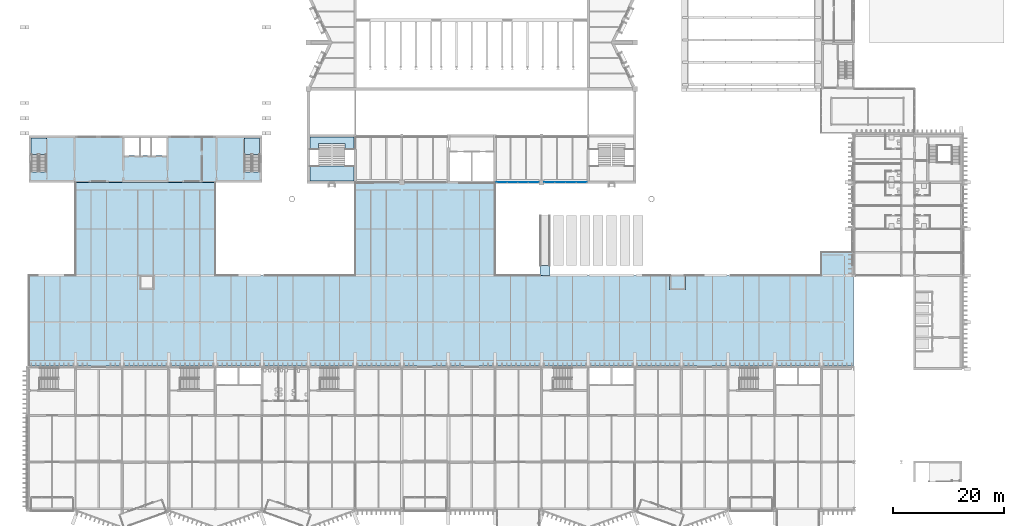
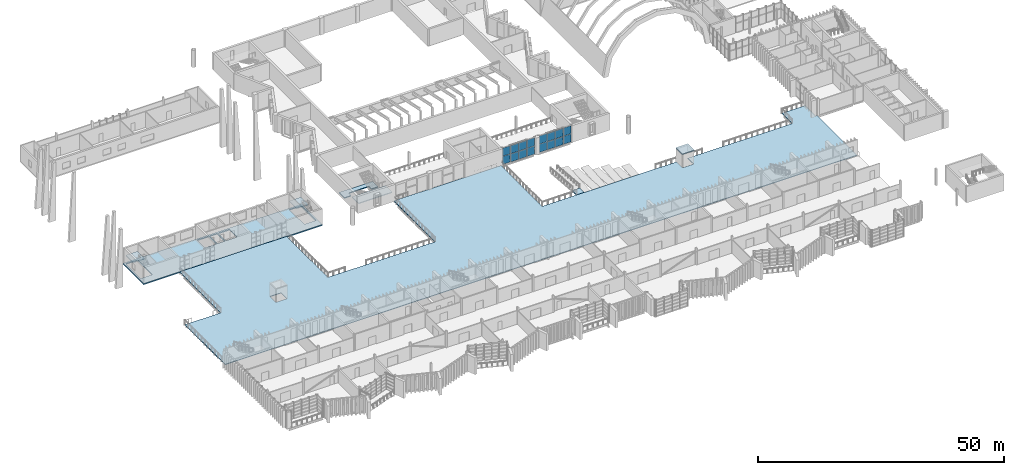
# One storey, part 51 of 96: 16 plates, 8 slabs, 6 elements without a shape of their own.
"""IFC4 building model written with IfcOpenShell, lengths in metres."""

from ifc_helpers import new_model, si_unit, direction, frame, origin, origin_2d, place, context, subcontext, project, spatial, polyline, rectangle, outline, extrude, material, layer, layer_set, type_object, element, aggregate, save


model = new_model("IFC4")

# Units and contexts
model_context = context("Model", 3, precision=1e-05, world=origin(), true_north=direction((0.0, 1.0)))
body_context = subcontext(model_context, "Body", "Model", "MODEL_VIEW")
ifc_project = project(units=[si_unit("LENGTHUNIT", "METRE"), si_unit("AREAUNIT", "SQUARE_METRE"), si_unit("VOLUMEUNIT", "CUBIC_METRE"), si_unit("PLANEANGLEUNIT", "RADIAN"), si_unit("MASSUNIT", "GRAM", prefix="KILO")], contexts=[model_context])

# Site, building, storey
site_placement = place(None, origin())
site = spatial("IfcSite", under=ifc_project, at=site_placement, CompositionType="ELEMENT")
building_placement = place(site_placement, origin())
building = spatial("IfcBuilding", under=site, at=building_placement, Name="Cresset Court Congress Hotel", CompositionType="ELEMENT")
storey_placement = place(building_placement, frame((0.0, 0.0, 6.0)))
storey = spatial("IfcBuildingStorey", under=building, at=storey_placement, Name="L01", CompositionType="ELEMENT", Elevation=6.0)

# Slab
ifc_material_1 = material(Name="Concrete C35", Category="concrete")
ifc_layer_1 = layer(ifc_material_1, 0.199951171875)
ifc_layer_set_1 = layer_set([ifc_layer_1], Name="Core stair floor slab 200")
slab_type_1 = type_object("IfcSlabType", Name="Core stair floor slab 200", PredefinedType="FLOOR", material=ifc_layer_set_1)
slab_1_placement = place(storey_placement, frame((0.0, 0.0, -0.199951171875)))
element("IfcSlab", 1, at=slab_1_placement, inside=storey, type_object=slab_type_1, Name="Stair landing slab CC-C1L01", PredefinedType="FLOOR", context=body_context, shape_type="SweptSolid", body=[
    extrude(outline(polyline([(60.60009765625, 64.75), (59.050048828125, 64.75), (59.050048828125, 65.79931640625), (59.050048828125, 66.949951171875), (60.60009765625, 66.949951171875), (65.39990234375, 66.949951171875), (66.949951171875, 66.949951171875), (66.949951171875, 65.79931640625), (66.949951171875, 64.75), (65.39990234375, 64.75), (65.39990234375, 65.79931640625), (60.60009765625, 65.79931640625), (60.60009765625, 64.75)])), origin(), (0.0, 0.0, 1.0), 0.199951171875),
])

# Stair, slab
ifc_material_2 = material(Name="Concrete C40", Category="concrete")
stair_type_1 = type_object("IfcStairType", Name="Core stair", PredefinedType="STRAIGHT_RUN_STAIR", material=ifc_material_2)
stair_1_placement = place(storey_placement, origin())
stair_1 = element("IfcStair", 2, at=stair_1_placement, inside=storey, type_object=stair_type_1, Name="Stair ST-C1 L01", PredefinedType="STRAIGHT_RUN_STAIR")
ifc_material_3 = material(Name="Concrete C40", Category="concrete")
ifc_layer_2 = layer(ifc_material_3, 0.199951171875)
ifc_layer_set_2 = layer_set([ifc_layer_2], Name="Core stair landing")
slab_type_2 = type_object("IfcSlabType", Name="Core stair landing", PredefinedType="LANDING", material=ifc_layer_set_2)
slab_2_placement = place(storey_placement, frame((0.0, 0.0, 1.89990234375)))
slab_2 = element("IfcSlab", 3, at=slab_2_placement, type_object=slab_type_2, Name="C-ST landing 1", PredefinedType="LANDING", context=body_context, shape_type="SweptSolid", body=[
    extrude(outline(polyline([(66.949951171875, 59.050048828125), (66.949951171875, 61.719970703125), (59.050048828125, 61.719970703125), (59.050048828125, 59.050048828125), (66.949951171875, 59.050048828125)])), origin(), (0.0, 0.0, 1.0), 0.2001953125),
])
aggregate(stair_1, [slab_2])

# Curtain wall, plates
ifc_material_4 = material(Name="Aluminium and glass", Category="aluminium")
ifc_layer_3 = layer(ifc_material_4, 0.199951171875)
ifc_layer_set_3 = layer_set([ifc_layer_3], Name="Foyer curtain wall 1925 module")
curtain_wall_type = type_object("IfcCurtainWallType", Name="Foyer curtain wall 1925 module", PredefinedType="NOTDEFINED", material=ifc_layer_set_3)
curtain_wall_1_placement = place(storey_placement, origin())
curtain_wall_1 = element("IfcCurtainWall", 4, at=curtain_wall_1_placement, inside=storey, type_object=curtain_wall_type, Name="Curtain wall CX-013", PredefinedType="NOTDEFINED")
ifc_material_5 = material(Name="Laminated glass", Category="glass")
ifc_layer_4 = layer(ifc_material_5, 0.028076171875)
ifc_layer_set_4 = layer_set([ifc_layer_4], Name="Curtain wall glass panel 28")
plate_type = type_object("IfcPlateType", Name="Curtain wall glass panel 28", PredefinedType="CURTAIN_PANEL", material=ifc_layer_set_4)
plate_1_placement = place(storey_placement, frame((93.62744140625, 58.800048828125, 0.06005859375), z_axis=(0.0, 0.0, 1.0), x_axis=(1.0, 0.0, 0.0)))
plate_1 = element("IfcPlate", 5, at=plate_1_placement, type_object=plate_type, Name="C-X1 panel 1.1", PredefinedType="CURTAIN_PANEL", context=body_context, shape_type="SweptSolid", body=[
    extrude(rectangle(XDim=1.8349609375, YDim=0.028076171875, at=origin_2d()), origin(), (0.0, 0.0, 1.0), 2.010009765625),
])
plate_2_placement = place(storey_placement, frame((93.62744140625, 58.800048828125, 2.1298828125), z_axis=(0.0, 0.0, 1.0), x_axis=(1.0, 0.0, 0.0)))
plate_2 = element("IfcPlate", 6, at=plate_2_placement, type_object=plate_type, Name="C-X1 panel 1.2", PredefinedType="CURTAIN_PANEL", context=body_context, shape_type="SweptSolid", body=[
    extrude(rectangle(XDim=1.8349609375, YDim=0.028076171875, at=origin_2d()), origin(), (0.0, 0.0, 1.0), 2.010009765625),
])
plate_3_placement = place(storey_placement, frame((95.53759765625, 58.800048828125, 0.06005859375), z_axis=(0.0, 0.0, 1.0), x_axis=(1.0, 0.0, 0.0)))
plate_3 = element("IfcPlate", 7, at=plate_3_placement, type_object=plate_type, Name="C-X1 panel 2.1", PredefinedType="CURTAIN_PANEL", context=body_context, shape_type="SweptSolid", body=[
    extrude(rectangle(XDim=1.864990234375, YDim=0.028076171875, at=origin_2d()), origin(), (0.0, 0.0, 1.0), 2.010009765625),
])
plate_4_placement = place(storey_placement, frame((95.53759765625, 58.800048828125, 2.1298828125), z_axis=(0.0, 0.0, 1.0), x_axis=(1.0, 0.0, 0.0)))
plate_4 = element("IfcPlate", 8, at=plate_4_placement, type_object=plate_type, Name="C-X1 panel 2.2", PredefinedType="CURTAIN_PANEL", context=body_context, shape_type="SweptSolid", body=[
    extrude(rectangle(XDim=1.864990234375, YDim=0.028076171875, at=origin_2d()), origin(), (0.0, 0.0, 1.0), 2.010009765625),
])
plate_5_placement = place(storey_placement, frame((97.46240234375, 58.800048828125, 0.06005859375), z_axis=(0.0, 0.0, 1.0), x_axis=(1.0, 0.0, 0.0)))
plate_5 = element("IfcPlate", 9, at=plate_5_placement, type_object=plate_type, Name="C-X1 panel 3.1", PredefinedType="CURTAIN_PANEL", context=body_context, shape_type="SweptSolid", body=[
    extrude(rectangle(XDim=1.864990234375, YDim=0.028076171875, at=origin_2d()), origin(), (0.0, 0.0, 1.0), 2.010009765625),
])
plate_6_placement = place(storey_placement, frame((97.46240234375, 58.800048828125, 2.1298828125), z_axis=(0.0, 0.0, 1.0), x_axis=(1.0, 0.0, 0.0)))
plate_6 = element("IfcPlate", 10, at=plate_6_placement, type_object=plate_type, Name="C-X1 panel 3.2", PredefinedType="CURTAIN_PANEL", context=body_context, shape_type="SweptSolid", body=[
    extrude(rectangle(XDim=1.864990234375, YDim=0.028076171875, at=origin_2d()), origin(), (0.0, 0.0, 1.0), 2.010009765625),
])
plate_7_placement = place(storey_placement, frame((99.37255859375, 58.800048828125, 0.06005859375), z_axis=(0.0, 0.0, 1.0), x_axis=(1.0, 0.0, 0.0)))
plate_7 = element("IfcPlate", 11, at=plate_7_placement, type_object=plate_type, Name="C-X1 panel 4.1", PredefinedType="CURTAIN_PANEL", context=body_context, shape_type="SweptSolid", body=[
    extrude(rectangle(XDim=1.8349609375, YDim=0.028076171875, at=origin_2d()), origin(), (0.0, 0.0, 1.0), 2.010009765625),
])
plate_8_placement = place(storey_placement, frame((99.37255859375, 58.800048828125, 2.1298828125), z_axis=(0.0, 0.0, 1.0), x_axis=(1.0, 0.0, 0.0)))
plate_8 = element("IfcPlate", 12, at=plate_8_placement, type_object=plate_type, Name="C-X1 panel 4.2", PredefinedType="CURTAIN_PANEL", context=body_context, shape_type="SweptSolid", body=[
    extrude(rectangle(XDim=1.8349609375, YDim=0.028076171875, at=origin_2d()), origin(), (0.0, 0.0, 1.0), 2.010009765625),
])
aggregate(curtain_wall_1, [plate_1, plate_2, plate_3, plate_4, plate_5, plate_6, plate_7, plate_8])

curtain_wall_2_placement = place(storey_placement, origin())
curtain_wall_2 = element("IfcCurtainWall", 13, at=curtain_wall_2_placement, inside=storey, type_object=curtain_wall_type, Name="Curtain wall CX-014", PredefinedType="NOTDEFINED")
plate_9_placement = place(storey_placement, frame((102.2275390625, 58.800048828125, 0.06005859375), z_axis=(0.0, 0.0, 1.0), x_axis=(1.0, 0.0, 0.0)))
plate_9 = element("IfcPlate", 14, at=plate_9_placement, type_object=plate_type, Name="C-X1 panel 1.1", PredefinedType="CURTAIN_PANEL", context=body_context, shape_type="SweptSolid", body=[
    extrude(rectangle(XDim=1.8349609375, YDim=0.028076171875, at=origin_2d()), origin(), (0.0, 0.0, 1.0), 2.010009765625),
])
plate_10_placement = place(storey_placement, frame((102.2275390625, 58.800048828125, 2.1298828125), z_axis=(0.0, 0.0, 1.0), x_axis=(1.0, 0.0, 0.0)))
plate_10 = element("IfcPlate", 15, at=plate_10_placement, type_object=plate_type, Name="C-X1 panel 1.2", PredefinedType="CURTAIN_PANEL", context=body_context, shape_type="SweptSolid", body=[
    extrude(rectangle(XDim=1.8349609375, YDim=0.028076171875, at=origin_2d()), origin(), (0.0, 0.0, 1.0), 2.010009765625),
])
plate_11_placement = place(storey_placement, frame((104.137451171875, 58.800048828125, 0.06005859375), z_axis=(0.0, 0.0, 1.0), x_axis=(1.0, 0.0, 0.0)))
plate_11 = element("IfcPlate", 16, at=plate_11_placement, type_object=plate_type, Name="C-X1 panel 2.1", PredefinedType="CURTAIN_PANEL", context=body_context, shape_type="SweptSolid", body=[
    extrude(rectangle(XDim=1.864990234375, YDim=0.028076171875, at=origin_2d()), origin(), (0.0, 0.0, 1.0), 2.010009765625),
])
plate_12_placement = place(storey_placement, frame((104.137451171875, 58.800048828125, 2.1298828125), z_axis=(0.0, 0.0, 1.0), x_axis=(1.0, 0.0, 0.0)))
plate_12 = element("IfcPlate", 17, at=plate_12_placement, type_object=plate_type, Name="C-X1 panel 2.2", PredefinedType="CURTAIN_PANEL", context=body_context, shape_type="SweptSolid", body=[
    extrude(rectangle(XDim=1.864990234375, YDim=0.028076171875, at=origin_2d()), origin(), (0.0, 0.0, 1.0), 2.010009765625),
])
plate_13_placement = place(storey_placement, frame((106.0625, 58.800048828125, 0.06005859375), z_axis=(0.0, 0.0, 1.0), x_axis=(1.0, 0.0, 0.0)))
plate_13 = element("IfcPlate", 18, at=plate_13_placement, type_object=plate_type, Name="C-X1 panel 3.1", PredefinedType="CURTAIN_PANEL", context=body_context, shape_type="SweptSolid", body=[
    extrude(rectangle(XDim=1.864990234375, YDim=0.028076171875, at=origin_2d()), origin(), (0.0, 0.0, 1.0), 2.010009765625),
])
plate_14_placement = place(storey_placement, frame((106.0625, 58.800048828125, 2.1298828125), z_axis=(0.0, 0.0, 1.0), x_axis=(1.0, 0.0, 0.0)))
plate_14 = element("IfcPlate", 19, at=plate_14_placement, type_object=plate_type, Name="C-X1 panel 3.2", PredefinedType="CURTAIN_PANEL", context=body_context, shape_type="SweptSolid", body=[
    extrude(rectangle(XDim=1.864990234375, YDim=0.028076171875, at=origin_2d()), origin(), (0.0, 0.0, 1.0), 2.010009765625),
])
plate_15_placement = place(storey_placement, frame((107.972412109375, 58.800048828125, 0.06005859375), z_axis=(0.0, 0.0, 1.0), x_axis=(1.0, 0.0, 0.0)))
plate_15 = element("IfcPlate", 20, at=plate_15_placement, type_object=plate_type, Name="C-X1 panel 4.1", PredefinedType="CURTAIN_PANEL", context=body_context, shape_type="SweptSolid", body=[
    extrude(rectangle(XDim=1.8349609375, YDim=0.028076171875, at=origin_2d()), origin(), (0.0, 0.0, 1.0), 2.010009765625),
])
plate_16_placement = place(storey_placement, frame((107.972412109375, 58.800048828125, 2.1298828125), z_axis=(0.0, 0.0, 1.0), x_axis=(1.0, 0.0, 0.0)))
plate_16 = element("IfcPlate", 21, at=plate_16_placement, type_object=plate_type, Name="C-X1 panel 4.2", PredefinedType="CURTAIN_PANEL", context=body_context, shape_type="SweptSolid", body=[
    extrude(rectangle(XDim=1.8349609375, YDim=0.028076171875, at=origin_2d()), origin(), (0.0, 0.0, 1.0), 2.010009765625),
])
aggregate(curtain_wall_2, [plate_9, plate_10, plate_11, plate_12, plate_13, plate_14, plate_15, plate_16])

# Slabs
ifc_material_6 = material(Name="Concrete C35", Category="concrete")
ifc_layer_5 = layer(ifc_material_6, 0.14990234375)
ifc_layer_set_5 = layer_set([ifc_layer_5], Name="Deck slab 150")
slab_type_3 = type_object("IfcSlabType", Name="Deck slab 150", PredefinedType="FLOOR", material=ifc_layer_set_5)
slab_3_placement = place(storey_placement, frame((0.0, 0.0, -0.14990234375)))
element("IfcSlab", 22, at=slab_3_placement, inside=storey, type_object=slab_type_3, Name="S.slab.L01.deck", PredefinedType="FLOOR", context=body_context, shape_type="SweptSolid", body=[
    extrude(outline(polyline([(151.199951171875, 42.0), (151.199951171875, 46.199951171875), (156.699951171875, 46.199951171875), (156.699951171875, 42.0), (157.0, 42.0), (157.0, 25.699951171875), (8.39990234375, 25.699951171875), (8.39990234375, 42.0), (16.800048828125, 42.0), (16.800048828125, 58.800048828125), (42.0, 58.800048828125), (42.0, 42.0), (67.199951171875, 42.0), (67.199951171875, 58.800048828125), (92.39990234375, 58.800048828125), (92.39990234375, 42.0), (124.0, 42.0), (124.0, 39.60009765625), (126.60009765625, 39.60009765625), (126.60009765625, 42.0), (151.199951171875, 42.0)]), holes=[polyline([(28.39990234375, 39.60009765625), (31.0, 39.60009765625), (31.0, 42.0), (28.39990234375, 42.0), (28.39990234375, 39.60009765625)])]), origin(), (0.0, 0.0, 1.0), 0.14990234375),
])
ifc_material_7 = material(Name="Concrete C35", Category="concrete")
ifc_layer_6 = layer(ifc_material_7, 0.199951171875)
ifc_layer_set_6 = layer_set([ifc_layer_6], Name="Kiosk roof slab 200")
slab_type_4 = type_object("IfcSlabType", Name="Kiosk roof slab 200", PredefinedType="ROOF", material=ifc_layer_set_6)
slab_4_placement = place(storey_placement, frame((0.0, 0.0, 3.300048828125)))
element("IfcSlab", 23, at=slab_4_placement, inside=storey, type_object=slab_type_4, Name="S.lift.L01.LF-S1.roof", PredefinedType="ROOF", context=body_context, shape_type="SweptSolid", body=[
    extrude(outline(polyline([(123.875, 39.47509765625), (126.72509765625, 39.47509765625), (126.72509765625, 42.125), (123.875, 42.125), (123.875, 39.47509765625)])), origin(), (0.0, 0.0, 1.0), 0.199951171875),
])

# Ramp, slab
ifc_material_8 = material(Name="Concrete C35", Category="concrete")
ramp_type = type_object("IfcRampType", Name="Ramp 1:12", PredefinedType="STRAIGHT_RUN_RAMP", material=ifc_material_8)
ramp_placement = place(storey_placement, origin())
ramp = element("IfcRamp", 24, at=ramp_placement, inside=storey, type_object=ramp_type, Name="Deck ramp D01", PredefinedType="STRAIGHT_RUN_RAMP")
ifc_material_9 = material(Name="Concrete C35", Category="concrete")
ifc_layer_7 = layer(ifc_material_9, 0.20068359375)
ifc_layer_set_7 = layer_set([ifc_layer_7], Name="Landing slab 201")
slab_type_5 = type_object("IfcSlabType", Name="Landing slab 201", PredefinedType="LANDING", material=ifc_layer_set_7)
slab_5_placement = place(storey_placement, frame((0.0, 0.0, -0.20068359375)))
slab_5 = element("IfcSlab", 25, at=slab_5_placement, type_object=slab_type_5, Name="S.ramp.L01.D01.L1", PredefinedType="LANDING", context=body_context, shape_type="SweptSolid", body=[
    extrude(outline(polyline([(100.5, 42.0), (102.300048828125, 42.0), (102.300048828125, 43.800048828125), (100.5, 43.800048828125), (100.5, 42.0)])), origin(), (0.0, 0.0, 1.0), 0.20068359375),
])
aggregate(ramp, [slab_5])

# Slab
ifc_material_10 = material(Name="Concrete C35", Category="concrete")
ifc_layer_8 = layer(ifc_material_10, 0.280029296875)
ifc_layer_set_8 = layer_set([ifc_layer_8], Name="RC floor plate 280 C35")
slab_type_6 = type_object("IfcSlabType", Name="RC floor plate 280 C35", PredefinedType="FLOOR", material=ifc_layer_set_8)
slab_6_placement = place(storey_placement, frame((0.0, 0.0, -0.280029296875)))
element("IfcSlab", 26, at=slab_6_placement, inside=storey, type_object=slab_type_6, Name="Foyer floor plate L01", PredefinedType="FLOOR", context=body_context, shape_type="SweptSolid", body=[
    extrude(outline(polyline([(8.39990234375, 58.800048828125), (50.39990234375, 58.800048828125), (50.39990234375, 67.199951171875), (8.39990234375, 67.199951171875), (8.39990234375, 58.800048828125)]), holes=[polyline([(11.550048828125, 60.70068359375), (11.550048828125, 66.800048828125), (8.800048828125, 66.800048828125), (8.800048828125, 60.70068359375), (11.550048828125, 60.70068359375)]), polyline([(50.0, 60.70068359375), (50.0, 66.800048828125), (47.25, 66.800048828125), (47.25, 60.70068359375), (50.0, 60.70068359375)]), polyline([(25.60009765625, 63.60009765625), (28.300048828125, 63.60009765625), (28.300048828125, 66.800048828125), (25.60009765625, 66.800048828125), (25.60009765625, 63.60009765625)]), polyline([(30.5, 63.60009765625), (33.199951171875, 63.60009765625), (33.199951171875, 66.800048828125), (30.5, 66.800048828125), (30.5, 63.60009765625)]), polyline([(28.550048828125, 63.60009765625), (30.25, 63.60009765625), (30.25, 66.800048828125), (28.550048828125, 66.800048828125), (28.550048828125, 63.60009765625)])]), origin(), (0.0, 0.0, 1.0), 0.280029296875),
])

# Stair, slab
ifc_material_11 = material(Name="Half-turn stair 1300")
stair_type_2 = type_object("IfcStairType", Name="Half-turn stair 1300", PredefinedType="HALF_TURN_STAIR", material=ifc_material_11)
stair_2_placement = place(storey_placement, origin())
stair_2 = element("IfcStair", 27, at=stair_2_placement, inside=storey, type_object=stair_type_2, Name="L01 stair", PredefinedType="HALF_TURN_STAIR")
ifc_material_12 = material(Name="Concrete C35", Category="concrete")
ifc_layer_9 = layer(ifc_material_12, 0.199951171875)
ifc_layer_set_9 = layer_set([ifc_layer_9], Name="Stair landing 200 C35")
slab_type_7 = type_object("IfcSlabType", Name="Stair landing 200 C35", PredefinedType="LANDING", material=ifc_layer_set_9)
slab_7_placement = place(storey_placement, frame((0.0, 0.0, 1.89990234375)))
slab_7 = element("IfcSlab", 28, at=slab_7_placement, type_object=slab_type_7, Name="ST-D1 landing 1", PredefinedType="LANDING", context=body_context, shape_type="SweptSolid", body=[
    extrude(outline(polyline([(11.550048828125, 63.820068359375), (11.550048828125, 66.800048828125), (8.800048828125, 66.800048828125), (8.800048828125, 63.820068359375), (11.550048828125, 63.820068359375)])), origin(), (0.0, 0.0, 1.0), 0.2001953125),
])
aggregate(stair_2, [slab_7])

stair_3_placement = place(storey_placement, origin())
stair_3 = element("IfcStair", 29, at=stair_3_placement, inside=storey, type_object=stair_type_2, Name="L01 stair", PredefinedType="HALF_TURN_STAIR")
slab_8_placement = place(storey_placement, frame((0.0, 0.0, 1.89990234375)))
slab_8 = element("IfcSlab", 30, at=slab_8_placement, type_object=slab_type_7, Name="ST-D2 landing 1", PredefinedType="LANDING", context=body_context, shape_type="SweptSolid", body=[
    extrude(outline(polyline([(50.0, 63.820068359375), (50.0, 66.800048828125), (47.25, 66.800048828125), (47.25, 63.820068359375), (50.0, 63.820068359375)])), origin(), (0.0, 0.0, 1.0), 0.2001953125),
])
aggregate(stair_3, [slab_8])

save(model, "model.ifc")
